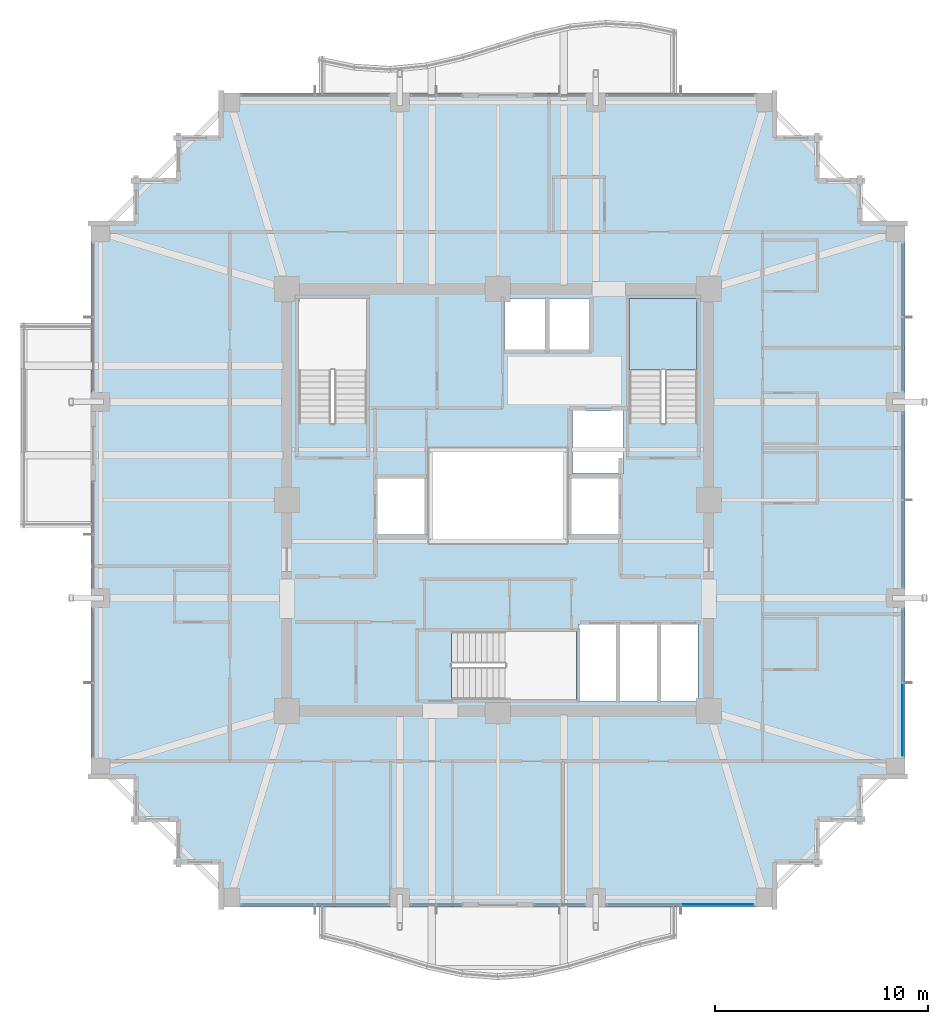
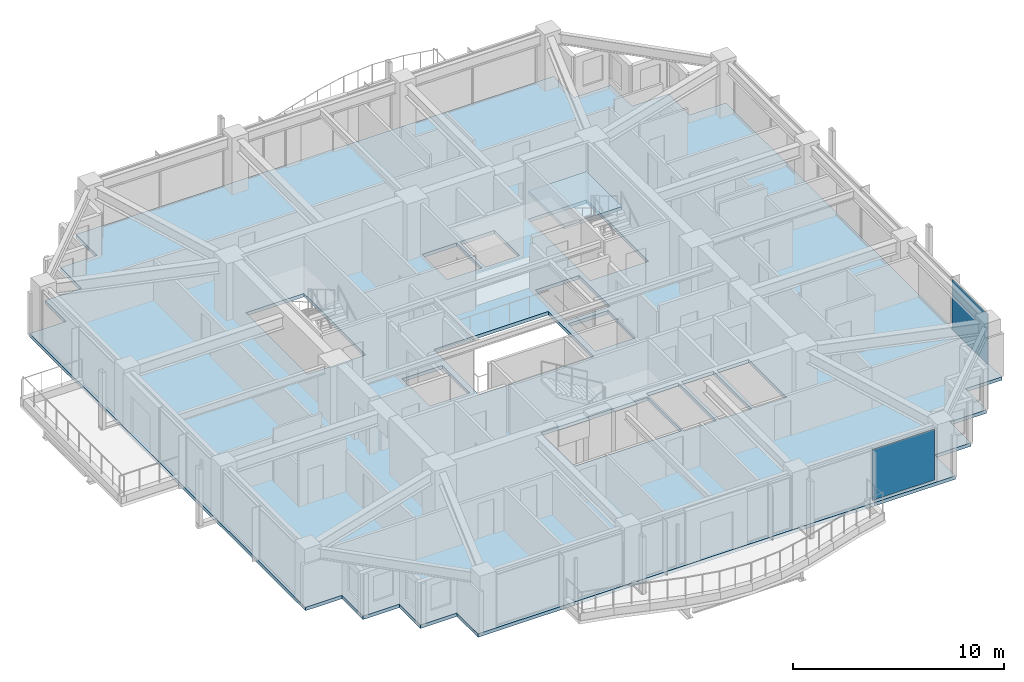
# One storey, part 24 of 34: 2 plates, 2 slabs, 3 elements without a shape of their own.
"""IFC4 building model written with IfcOpenShell, lengths in metres."""

from ifc_helpers import new_model, si_unit, direction, frame, origin, origin_2d, place, context, subcontext, project, spatial, polyline, rectangle, outline, extrude, material, layer, layer_set, type_object, element, aggregate, save


model = new_model("IFC4")

# Units and contexts
model_context = context("Model", 3, precision=1e-05, world=origin(), true_north=direction((0.0, 1.0)))
body_context = subcontext(model_context, "Body", "Model", "MODEL_VIEW")
ifc_project = project(units=[si_unit("LENGTHUNIT", "METRE"), si_unit("AREAUNIT", "SQUARE_METRE"), si_unit("VOLUMEUNIT", "CUBIC_METRE"), si_unit("PLANEANGLEUNIT", "RADIAN"), si_unit("MASSUNIT", "GRAM", prefix="KILO")], contexts=[model_context])

# Site, building, storey
site_placement = place(None, origin())
site = spatial("IfcSite", under=ifc_project, at=site_placement, CompositionType="ELEMENT")
building_placement = place(site_placement, origin())
building = spatial("IfcBuilding", under=site, at=building_placement, Name="Kolvaren Belvedere", CompositionType="ELEMENT")
storey_placement = place(building_placement, frame((0.0, 0.0, 166.800048828125)))
storey = spatial("IfcBuildingStorey", under=building, at=storey_placement, Name="L48", CompositionType="ELEMENT", Elevation=166.800048828125)

# Curtain wall, plate
ifc_material_1 = material(Name="Anodised pale-metal aluminium AA 6063-T6", Category="aluminium")
curtain_wall_type = type_object("IfcCurtainWallType", Name="CW-Z3-WAIST", PredefinedType="NOTDEFINED", material=ifc_material_1)
curtain_wall_1_placement = place(storey_placement, origin())
curtain_wall_1 = element("IfcCurtainWall", 1, at=curtain_wall_1_placement, inside=storey, type_object=curtain_wall_type, Name="L48 Unitised Curtain Wall FCW-L48-S1-B1", PredefinedType="NOTDEFINED")
ifc_material_2 = material(Name="Low-iron triple insulated glass", Category="glass")
ifc_layer_1 = layer(ifc_material_2, 0.028076171875)
ifc_layer_set_1 = layer_set([ifc_layer_1], Name="Low-iron triple insulated glass")
plate_type = type_object("IfcPlateType", Name="CW-PNL-VIS28", PredefinedType="CURTAIN_PANEL", material=ifc_layer_set_1)
plate_1_placement = place(storey_placement, frame((10.311279296875, -18.97998046875, 0.080078125), z_axis=(0.0, 0.0, 1.0), x_axis=(-1.0, 0.0, 0.0)))
plate_1 = element("IfcPlate", 2, at=plate_1_placement, type_object=plate_type, Name="FCW-L48-S1-B1 Vision Glazing Panel 1", PredefinedType="CURTAIN_PANEL", context=body_context, shape_type="SweptSolid", body=[
    extrude(rectangle(XDim=3.392578125, YDim=0.028076171875, at=origin_2d()), origin(), (0.0, 0.0, 1.0), 2.93994140625),
])
aggregate(curtain_wall_1, [plate_1])

curtain_wall_2_placement = place(storey_placement, origin())
curtain_wall_2 = element("IfcCurtainWall", 3, at=curtain_wall_2_placement, inside=storey, type_object=curtain_wall_type, Name="L48 Unitised Curtain Wall FCW-L48-E-B3", PredefinedType="NOTDEFINED")
plate_2_placement = place(storey_placement, frame((18.97998046875, -10.311279296875, 0.080078125), z_axis=(0.0, 0.0, 1.0), x_axis=(0.0, -1.0, 0.0)))
plate_2 = element("IfcPlate", 4, at=plate_2_placement, type_object=plate_type, Name="FCW-L48-E-B3 Vision Glazing Panel 2", PredefinedType="CURTAIN_PANEL", context=body_context, shape_type="SweptSolid", body=[
    extrude(rectangle(XDim=3.392578125, YDim=0.028076171875, at=origin_2d()), origin(), (0.0, 0.0, 1.0), 2.93994140625),
])
aggregate(curtain_wall_2, [plate_2])

# Slab
ifc_material_3 = material(Name="Concrete C50/60", Category="concrete")
ifc_layer_2 = layer(ifc_material_3, 0.199951171875)
ifc_layer_set_2 = layer_set([ifc_layer_2], Name="Concrete C50/60")
slab_type_1 = type_object("IfcSlabType", Name="SL-FLR-200", PredefinedType="FLOOR", material=ifc_layer_set_2)
slab_1_placement = place(storey_placement, frame((0.0, 0.0, -0.199951171875)))
element("IfcSlab", 5, at=slab_1_placement, inside=storey, type_object=slab_type_1, Name="L48 Primary Structural Slab", PredefinedType="FLOOR", context=body_context, shape_type="SweptSolid", body=[
    extrude(outline(polyline([(-13.10009765625, -19.10009765625), (13.10009765625, -19.10009765625), (13.10009765625, -17.10009765625), (15.10009765625, -17.10009765625), (15.10009765625, -15.10009765625), (17.10009765625, -15.10009765625), (17.10009765625, -13.10009765625), (19.10009765625, -13.10009765625), (19.10009765625, 13.10009765625), (17.10009765625, 13.10009765625), (17.10009765625, 15.10009765625), (15.10009765625, 15.10009765625), (15.10009765625, 17.10009765625), (13.10009765625, 17.10009765625), (13.10009765625, 19.10009765625), (-13.10009765625, 19.10009765625), (-13.10009765625, 17.10009765625), (-15.10009765625, 17.10009765625), (-15.10009765625, 15.10009765625), (-17.10009765625, 15.10009765625), (-17.10009765625, 13.10009765625), (-19.10009765625, 13.10009765625), (-19.10009765625, -13.10009765625), (-17.10009765625, -13.10009765625), (-17.10009765625, -15.10009765625), (-15.10009765625, -15.10009765625), (-15.10009765625, -17.10009765625), (-13.10009765625, -17.10009765625), (-13.10009765625, -19.10009765625)]), holes=[polyline([(-9.35009765625, 3.580078125), (-6.159912109375, 3.580078125), (-6.159912109375, 9.449951171875), (-9.35009765625, 9.449951171875), (-9.35009765625, 3.580078125)]), polyline([(6.159912109375, 3.580078125), (9.35009765625, 3.580078125), (9.35009765625, 9.449951171875), (6.159912109375, 9.449951171875), (6.159912109375, 3.580078125)]), polyline([(-2.169921875, -9.35009765625), (3.699951171875, -9.35009765625), (3.699951171875, -6.159912109375), (-2.169921875, -6.159912109375), (-2.169921875, -9.35009765625)]), polyline([(-5.64990234375, -1.60009765625), (-3.449951171875, -1.60009765625), (-3.449951171875, 1.0), (-5.64990234375, 1.0), (-5.64990234375, -1.60009765625)]), polyline([(3.5, 1.25), (5.89990234375, 1.25), (5.89990234375, 4.199951171875), (3.5, 4.199951171875), (3.5, 1.25)]), polyline([(3.449951171875, -1.60009765625), (5.64990234375, -1.60009765625), (5.64990234375, 1.0), (3.449951171875, 1.0), (3.449951171875, -1.60009765625)]), polyline([(3.7900390625, -9.449951171875), (5.5400390625, -9.449951171875), (5.5400390625, -5.85009765625), (3.7900390625, -5.85009765625), (3.7900390625, -9.449951171875)]), polyline([(5.719970703125, -9.449951171875), (7.469970703125, -9.449951171875), (7.469970703125, -5.85009765625), (5.719970703125, -5.85009765625), (5.719970703125, -9.449951171875)]), polyline([(7.64990234375, -9.449951171875), (9.39990234375, -9.449951171875), (9.39990234375, -5.85009765625), (7.64990234375, -5.85009765625), (7.64990234375, -9.449951171875)]), polyline([(0.320068359375, 7.050048828125), (2.219970703125, 7.050048828125), (2.219970703125, 9.449951171875), (0.320068359375, 9.449951171875), (0.320068359375, 7.050048828125)]), polyline([(2.39990234375, 7.050048828125), (4.300048828125, 7.050048828125), (4.300048828125, 9.449951171875), (2.39990234375, 9.449951171875), (2.39990234375, 7.050048828125)]), polyline([(-3.14990234375, -1.949951171875), (3.14990234375, -1.949951171875), (3.14990234375, 2.35009765625), (-3.14990234375, 2.35009765625), (-3.14990234375, -1.949951171875)])]), origin(), (0.0, 0.0, 1.0), 0.199951171875),
])

# Stair, slab
ifc_material_4 = material(Name="Concrete C50/60", Category="concrete")
stair_type = type_object("IfcStairType", Name="ST-CORE-1520", PredefinedType="HALF_TURN_STAIR", material=ifc_material_4)
stair_placement = place(storey_placement, origin())
stair = element("IfcStair", 6, at=stair_placement, inside=storey, type_object=stair_type, Name="L48 Protected Exit Stair ST-2", PredefinedType="HALF_TURN_STAIR")
ifc_material_5 = material(Name="Concrete C50/60", Category="concrete")
ifc_layer_3 = layer(ifc_material_5, 0.260009765625)
ifc_layer_set_3 = layer_set([ifc_layer_3], Name="Concrete C50/60")
slab_type_2 = type_object("IfcSlabType", Name="SL-LAND-260", PredefinedType="LANDING", material=ifc_layer_set_3)
slab_2_placement = place(storey_placement, frame((0.0, 0.0, 1.449951171875)))
slab_2 = element("IfcSlab", 7, at=slab_2_placement, type_object=slab_type_2, Name="ST-2 landing 1", PredefinedType="LANDING", context=body_context, shape_type="SweptSolid", body=[
    extrude(outline(polyline([(9.35009765625, 6.090087890625), (9.35009765625, 9.449951171875), (6.159912109375, 9.449951171875), (6.159912109375, 6.090087890625), (9.35009765625, 6.090087890625)])), origin(), (0.0, 0.0, 1.0), 0.199951171875),
])
aggregate(stair, [slab_2])

save(model, "model.ifc")
